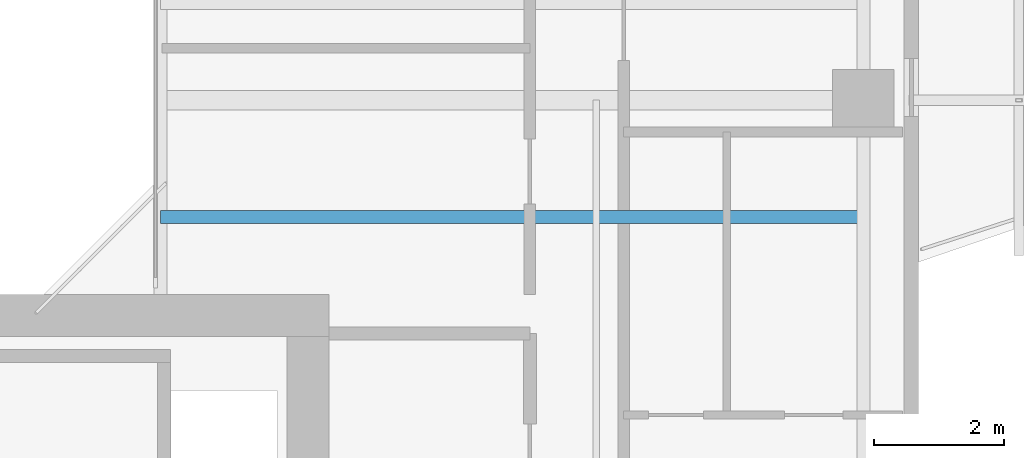
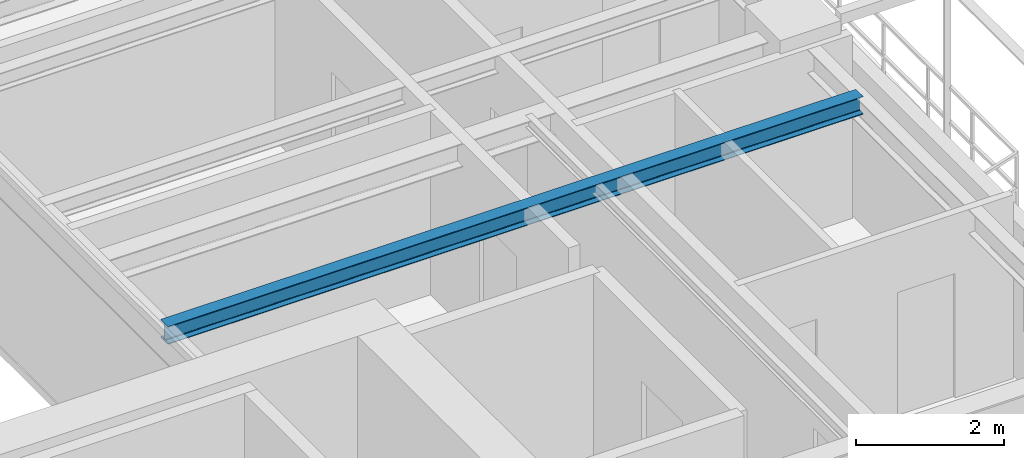
# One storey, part 3 of 18: 1 beam.
"""IFC4 building model written with IfcOpenShell, lengths in metres."""

from ifc_helpers import new_model, si_unit, direction, frame, origin, origin_2d, place, context, subcontext, project, spatial, i_section, extrude, source, transform, mapped, material, material_profile, profile_set, type_object, element, save


model = new_model("IFC4")

# Units and contexts
model_context = context("Model", 3, precision=1e-05, world=origin(), true_north=direction((0.0, 1.0)))
body_context = subcontext(model_context, "Body", "Model", "MODEL_VIEW")
ifc_project = project(units=[si_unit("LENGTHUNIT", "METRE"), si_unit("AREAUNIT", "SQUARE_METRE"), si_unit("VOLUMEUNIT", "CUBIC_METRE"), si_unit("PLANEANGLEUNIT", "RADIAN"), si_unit("MASSUNIT", "GRAM", prefix="KILO"), si_unit("THERMODYNAMICTEMPERATUREUNIT", "KELVIN"), si_unit("POWERUNIT", "WATT")], contexts=[model_context])

# Site, building, storey
site_placement = place(None, origin())
site = spatial("IfcSite", under=ifc_project, at=site_placement, CompositionType="ELEMENT")
building_placement = place(site_placement, origin())
building = spatial("IfcBuilding", under=site, at=building_placement, Name="Qiaomeng Ring Towers", CompositionType="ELEMENT")
storey_placement = place(building_placement, frame((0.0, 0.0, 182.75)))
storey = spatial("IfcBuildingStorey", under=building, at=storey_placement, Name="L53", CompositionType="ELEMENT", Elevation=182.75)

# Beam
ifc_material = material(Name="Steel Q355B", Category="steel")
ifc_material_profile = material_profile(ifc_material, i_section(OverallWidth=0.199951171875, OverallDepth=0.2939453125, WebThickness=0.008056640625, FlangeThickness=0.011962890625, FilletRadius=0.01806640625, at=origin_2d()), Name="HM 294x200x8x12")
ifc_profile_set = profile_set([ifc_material_profile], Name="Steel Q355B")
beam_type = type_object("IfcBeamType", Name="STR-BM-HM294", PredefinedType="JOIST", material=ifc_profile_set)
shared_shape = source(origin(), body_context, "Body", "SweptSolid", [
    extrude(i_section(OverallWidth=0.199951171875, OverallDepth=0.2939453125, WebThickness=0.008056640625, FlangeThickness=0.011962890625, FilletRadius=0.01806640625, at=origin_2d()), origin(), (0.0, 0.0, 1.0), 10.85009765625),
])
beam_placement = place(storey_placement, frame((25.199951171875, 18.199951171875, 2.883056640625), z_axis=(1.0, 0.0, 0.0), x_axis=(0.0, 1.0, 0.0)))
element("IfcBeam", 1, at=beam_placement, inside=storey, type_object=beam_type, Name="L53 beam STR-JST-L53-T1E-1", PredefinedType="JOIST", context=body_context, shape_type="MappedRepresentation", body=[
    mapped(shared_shape, transform((0.0, 0.0, 0.0), x_axis=(1.0, 0.0, 0.0), y_axis=(0.0, 1.0, 0.0), z_axis=(0.0, 0.0, 1.0), scale=1.0)),
])

save(model, "model.ifc")
